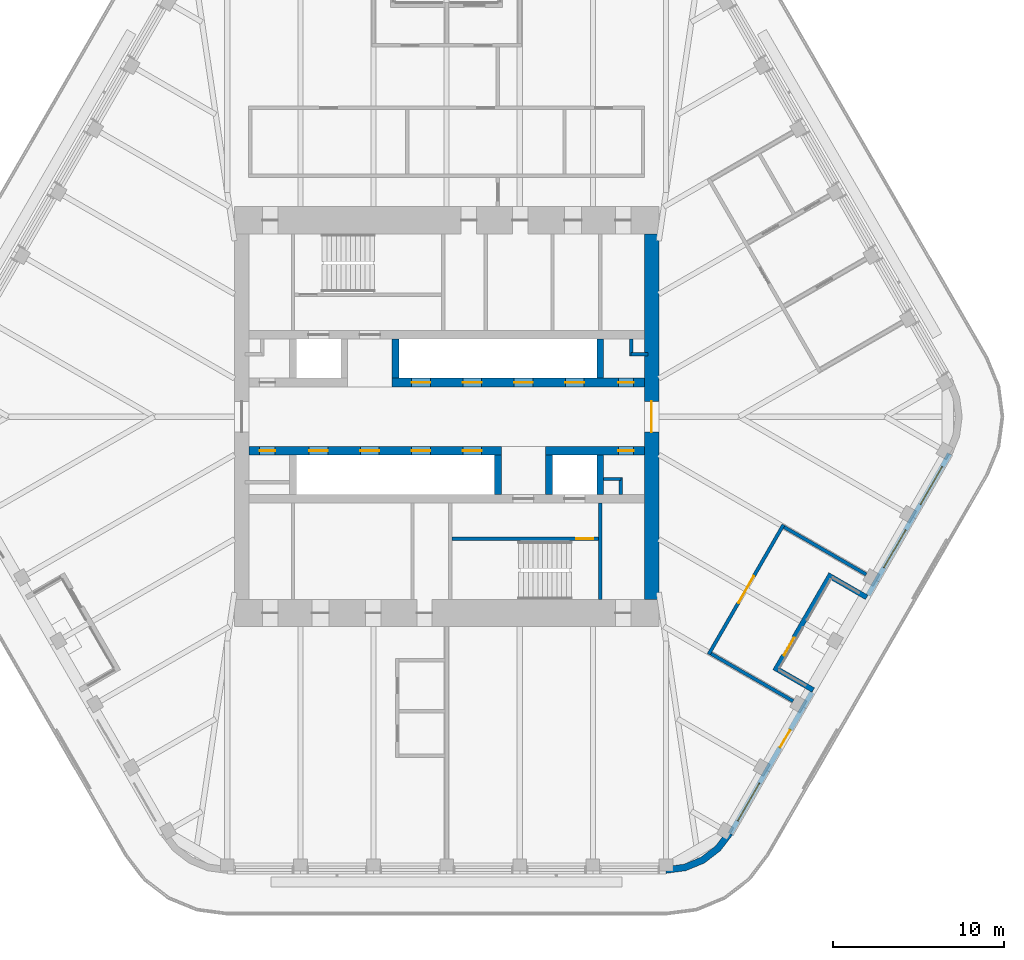
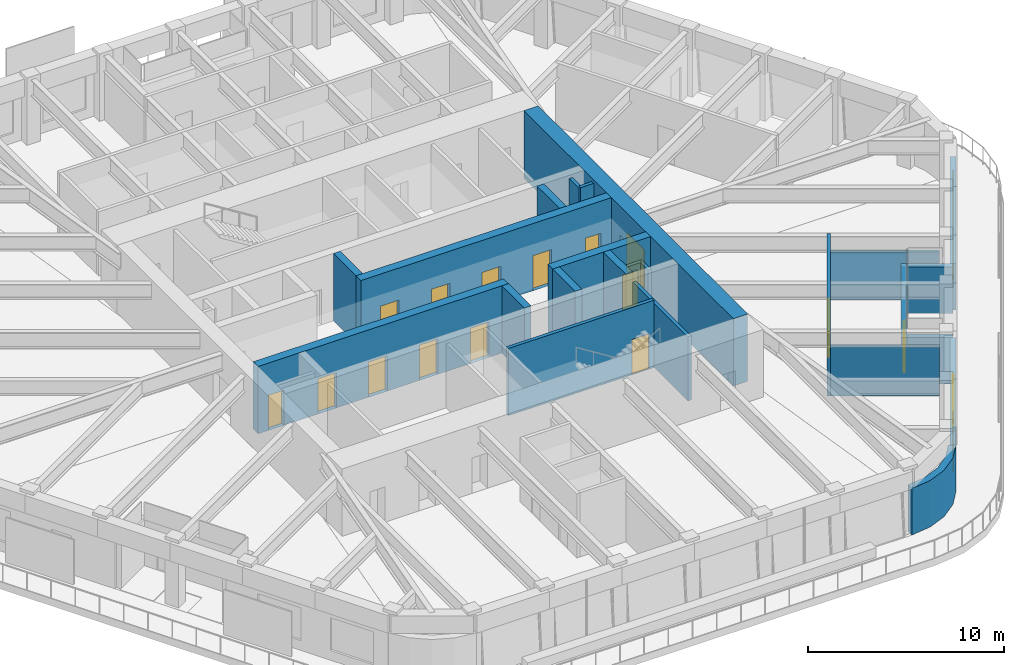
# One storey, part 14 of 19: 24 walls, 16 doors, 3 windows, 19 openings.
"""IFC4 building model written with IfcOpenShell, lengths in metres."""

from ifc_helpers import new_model, si_unit, direction, frame, frame_2d, origin, place, context, subcontext, project, spatial, polyline, rectangle, outline, extrude, material, layer, layer_set, type_object, element, fill, save


model = new_model("IFC4")

# Units and contexts
model_context = context("Model", 3, precision=1e-05, world=origin(), true_north=direction((0.0, 1.0)))
body_context = subcontext(model_context, "Body", "Model", "MODEL_VIEW")
ifc_project = project(units=[si_unit("LENGTHUNIT", "METRE"), si_unit("AREAUNIT", "SQUARE_METRE"), si_unit("VOLUMEUNIT", "CUBIC_METRE"), si_unit("PLANEANGLEUNIT", "RADIAN"), si_unit("MASSUNIT", "GRAM", prefix="KILO")], contexts=[model_context])

# Site, building, storey
site_placement = place(None, origin())
site = spatial("IfcSite", under=ifc_project, at=site_placement, CompositionType="ELEMENT")
building_placement = place(site_placement, origin())
building = spatial("IfcBuilding", under=site, at=building_placement, Name="Tarfa Lantern Tower", CompositionType="ELEMENT")
storey_placement = place(building_placement, frame((0.0, 0.0, 374.5)))
storey = spatial("IfcBuildingStorey", under=building, at=storey_placement, Name="L85", CompositionType="ELEMENT", Elevation=374.5)

# Wall, openings, door, window
ifc_material_1 = material(Name="Limestone cladding on blockwork", Category="masonry")
ifc_layer_1 = layer(ifc_material_1, 0.300048828125)
ifc_layer_set_1 = layer_set([ifc_layer_1], Name="EW1 STONE-CLAD WALL 300")
wall_type_1 = type_object("IfcWallType", Name="EW1 STONE-CLAD WALL 300", PredefinedType="SOLIDWALL", material=ifc_layer_set_1)
wall_1_placement = place(storey_placement, frame((16.61328125, -24.425048828125, 0.0), z_axis=(0.0, 0.0, 1.0), x_axis=(0.499996453679, 0.866027451244, 0.0)))
wall_1 = element("IfcWall", 1, at=wall_1_placement, inside=storey, type_object=wall_type_1, Name="Stone wall SE", PredefinedType="SOLIDWALL", context=body_context, shape_type="SweptSolid", body=[
    extrude(rectangle(XDim=9.56396484375, YDim=0.300048828125, at=frame_2d((4.781982421875, 0.0))), origin(), (0.0, 0.0, 1.0), 2.89990234375),
])
opening_1_placement = place(wall_1_placement, frame((0.865966796875, 0.0, 0.60009765625)))
opening_1 = element("IfcOpeningElement", 2, at=opening_1_placement, cuts=wall_1, Name="Opening W17", PredefinedType="OPENING", context=body_context, shape_type="SweptSolid", body=[
    extrude(rectangle(XDim=2.550048828125, YDim=2.050048828125, at=frame_2d((1.27490234375, 1.02490234375))), frame((0.0, 0.159912109375, 0.0), z_axis=(0.0, -1.0, 0.0), x_axis=(1.0, 0.0, 0.0)), (0.0, 0.0, 1.0), 0.320068359375),
])
opening_2_placement = place(wall_1_placement, frame((5.822998046875, 0.0, 0.0)))
opening_2 = element("IfcOpeningElement", 3, at=opening_2_placement, cuts=wall_1, Name="Opening D36", PredefinedType="OPENING", context=body_context, shape_type="SweptSolid", body=[
    extrude(rectangle(XDim=1.199951171875, YDim=2.39990234375, at=frame_2d((0.60009765625, 1.199951171875))), frame((0.0, 0.159912109375, 0.0), z_axis=(0.0, -1.0, 0.0), x_axis=(1.0, 0.0, 0.0)), (0.0, 0.0, 1.0), 0.320068359375),
])
ifc_material_2 = material(Name="Aluminium framed glazed door", Category="aluminium")
door_type_1 = type_object("IfcDoorType", Name="BE3 BALCONY DOOR 1200x2400", OperationType="SINGLE_SWING_RIGHT", PredefinedType="DOOR", material=ifc_material_2)
door_1_placement = place(opening_2_placement, origin())
door_1 = element("IfcDoor", 4, at=door_1_placement, inside=storey, type_object=door_type_1, Name="Balcony door SE", OperationType="SINGLE_SWING_LEFT", OverallHeight=2.39990234375, OverallWidth=1.199951171875, PredefinedType="DOOR", context=body_context, shape_type="SweptSolid", body=[
    extrude(rectangle(XDim=1.199951171875, YDim=2.39990234375, at=frame_2d((0.60009765625, 1.199951171875))), frame((0.0, 0.02490234375, 0.0), z_axis=(0.0, -1.0, 0.0), x_axis=(1.0, 0.0, 0.0)), (0.0, 0.0, 1.0), 0.050048828125),
])
fill(opening_2, door_1)
ifc_material_3 = material(Name="Aluminium frame, double glazed", Category="aluminium")
window_type = type_object("IfcWindowType", Name="W17 FULL-HEIGHT GLAZING 2550x2050", PartitioningType="SINGLE_PANEL", PredefinedType="WINDOW", material=ifc_material_3)
window_1_placement = place(opening_1_placement, origin())
window_1 = element("IfcWindow", 5, at=window_1_placement, inside=storey, type_object=window_type, Name="Window SE 1", OverallHeight=2.050048828125, OverallWidth=2.550048828125, PartitioningType="SINGLE_PANEL", PredefinedType="WINDOW", context=body_context, shape_type="SweptSolid", body=[
    extrude(rectangle(XDim=2.550048828125, YDim=2.050048828125, at=frame_2d((1.27490234375, 1.02490234375))), frame((0.0, 0.030029296875, 0.0), z_axis=(0.0, -1.0, 0.0), x_axis=(1.0, 0.0, 0.0)), (0.0, 0.0, 1.0), 0.06005859375),
])
fill(opening_1, window_1)

# Wall, openings, windows
wall_2_placement = place(storey_placement, frame((24.67724609375, -10.457763671875, 0.0), z_axis=(0.0, 0.0, 1.0), x_axis=(0.499996453679, 0.866027451244, 0.0)))
wall_2 = element("IfcWall", 6, at=wall_2_placement, inside=storey, type_object=wall_type_1, Name="Stone wall SEB", PredefinedType="SOLIDWALL", context=body_context, shape_type="SweptSolid", body=[
    extrude(rectangle(XDim=9.56396484375, YDim=0.300048828125, at=frame_2d((4.781982421875, 0.0))), origin(), (0.0, 0.0, 1.0), 2.89990234375),
])
opening_3_placement = place(wall_2_placement, frame((1.865966796875, 0.0, 0.60009765625)))
opening_3 = element("IfcOpeningElement", 7, at=opening_3_placement, cuts=wall_2, Name="Opening W17", PredefinedType="OPENING", context=body_context, shape_type="SweptSolid", body=[
    extrude(rectangle(XDim=2.550048828125, YDim=2.050048828125, at=frame_2d((1.27490234375, 1.02490234375))), frame((0.0, 0.159912109375, 0.0), z_axis=(0.0, -1.0, 0.0), x_axis=(1.0, 0.0, 0.0)), (0.0, 0.0, 1.0), 0.320068359375),
])
opening_4_placement = place(wall_2_placement, frame((6.14794921875, 0.0, 0.60009765625)))
opening_4 = element("IfcOpeningElement", 8, at=opening_4_placement, cuts=wall_2, Name="Opening W17", PredefinedType="OPENING", context=body_context, shape_type="SweptSolid", body=[
    extrude(rectangle(XDim=2.550048828125, YDim=2.050048828125, at=frame_2d((1.27490234375, 1.02490234375))), frame((0.0, 0.159912109375, 0.0), z_axis=(0.0, -1.0, 0.0), x_axis=(1.0, 0.0, 0.0)), (0.0, 0.0, 1.0), 0.320068359375),
])
window_2_placement = place(opening_3_placement, origin())
window_2 = element("IfcWindow", 9, at=window_2_placement, inside=storey, type_object=window_type, Name="Window SEB 1", OverallHeight=2.050048828125, OverallWidth=2.550048828125, PartitioningType="SINGLE_PANEL", PredefinedType="WINDOW", context=body_context, shape_type="SweptSolid", body=[
    extrude(rectangle(XDim=2.550048828125, YDim=2.050048828125, at=frame_2d((1.27490234375, 1.02490234375))), frame((0.0, 0.030029296875, 0.0), z_axis=(0.0, -1.0, 0.0), x_axis=(1.0, 0.0, 0.0)), (0.0, 0.0, 1.0), 0.06005859375),
])
fill(opening_3, window_2)
window_3_placement = place(opening_4_placement, origin())
window_3 = element("IfcWindow", 10, at=window_3_placement, inside=storey, type_object=window_type, Name="Window SEB 2", OverallHeight=2.050048828125, OverallWidth=2.550048828125, PartitioningType="SINGLE_PANEL", PredefinedType="WINDOW", context=body_context, shape_type="SweptSolid", body=[
    extrude(rectangle(XDim=2.550048828125, YDim=2.050048828125, at=frame_2d((1.27490234375, 1.02490234375))), frame((0.0, 0.030029296875, 0.0), z_axis=(0.0, -1.0, 0.0), x_axis=(1.0, 0.0, 0.0)), (0.0, 0.0, 1.0), 0.06005859375),
])
fill(opening_4, window_3)

# Walls
for number, where, z_axis, x_axis, name in (
    (11, (21.47021484375, -16.012451171875, 0.0), (0.0, 0.0, 1.0), (-0.866016039709, 0.500016218704, 0.0), "Terrace return SE 1"),
    (12, (24.602294921875, -10.587646484375, 0.0), (0.0, 0.0, 1.0), (-0.866016039709, 0.500016218704, 0.0), "Terrace return SE 2"),
):
    element("IfcWall", number, at=place(storey_placement, frame(where, z_axis=z_axis, x_axis=x_axis)), inside=storey, type_object=wall_type_1, Name=name, PredefinedType="SOLIDWALL", context=body_context, shape_type="SweptSolid", body=[
        extrude(rectangle(XDim=2.35009765625, YDim=0.300048828125, at=frame_2d((1.175048828125, 0.0))), origin(), (0.0, 0.0, 1.0), 2.89990234375),
    ])

# Wall, opening, door
wall_3_placement = place(storey_placement, frame((19.230224609375, -14.892333984375, 0.0), z_axis=(0.0, 0.0, 1.0), x_axis=(0.499999339774, 0.866025784966, 0.0)))
wall_3 = element("IfcWall", 13, at=wall_3_placement, inside=storey, type_object=wall_type_1, Name="Stone wall SES", PredefinedType="SOLIDWALL", context=body_context, shape_type="SweptSolid", body=[
    extrude(rectangle(XDim=6.56396484375, YDim=0.300048828125, at=frame_2d((3.281982421875, 0.0))), origin(), (0.0, 0.0, 1.0), 2.89990234375),
])
opening_5_placement = place(wall_3_placement, frame((1.041015625, 0.0, 0.0)))
opening_5 = element("IfcOpeningElement", 14, at=opening_5_placement, cuts=wall_3, Name="Opening D37", PredefinedType="OPENING", context=body_context, shape_type="SweptSolid", body=[
    extrude(rectangle(XDim=1.199951171875, YDim=2.39990234375, at=frame_2d((0.60009765625, 1.199951171875))), frame((0.0, 0.159912109375, 0.0), z_axis=(0.0, -1.0, 0.0), x_axis=(1.0, 0.0, 0.0)), (0.0, 0.0, 1.0), 0.320068359375),
])
door_2_placement = place(opening_5_placement, origin())
door_2 = element("IfcDoor", 15, at=door_2_placement, inside=storey, type_object=door_type_1, Name="Balcony door SES", OperationType="SINGLE_SWING_RIGHT", OverallHeight=2.39990234375, OverallWidth=1.199951171875, PredefinedType="DOOR", context=body_context, shape_type="SweptSolid", body=[
    extrude(rectangle(XDim=1.199951171875, YDim=2.39990234375, at=frame_2d((0.60009765625, 1.199951171875))), frame((0.0, 0.02490234375, 0.0), z_axis=(0.0, -1.0, 0.0), x_axis=(1.0, 0.0, 0.0)), (0.0, 0.0, 1.0), 0.050048828125),
])
fill(opening_5, door_2)

# Walls
ifc_layer_2 = layer(ifc_material_1, 0.39990234375)
ifc_layer_set_2 = layer_set([ifc_layer_2], Name="EW2 CURVED STONE CORNER 400")
wall_type_2 = type_object("IfcWallType", Name="EW2 CURVED STONE CORNER 400", PredefinedType="SOLIDWALL", material=ifc_layer_set_2)
wall_4_placement = place(storey_placement, origin())
element("IfcWall", 16, at=wall_4_placement, inside=storey, type_object=wall_type_2, Name="Stone corner S-SE", PredefinedType="SOLIDWALL", context=body_context, shape_type="SweptSolid", body=[
    extrude(outline(polyline([(12.845947265625, -26.75), (14.0107421875, -26.5966796875), (15.095947265625, -26.147216796875), (16.028076171875, -25.431884765625), (16.7431640625, -24.5), (16.396728515625, -24.300048828125), (15.7451171875, -25.149169921875), (14.89599609375, -25.80078125), (13.9072265625, -26.210205078125), (12.845947265625, -26.35009765625), (12.845947265625, -26.75)])), origin(), (0.0, 0.0, 1.0), 2.89990234375),
])
ifc_material_4 = material(Name="Concrete blockwork", Category="masonry")
ifc_layer_3 = layer(ifc_material_4, 0.199951171875)
ifc_layer_set_3 = layer_set([ifc_layer_3], Name="IW1 BLOCKWORK PARTITION 200 EI 120")
wall_type_3 = type_object("IfcWallType", Name="IW1 BLOCKWORK PARTITION 200 EI 120", PredefinedType="PARTITIONING", material=ifc_layer_set_3)
wall_5_placement = place(storey_placement, frame((9.0, -5.050048828125, 0.0), z_axis=(0.0, 0.0, 1.0), x_axis=(0.0, -1.0, 0.0)))
element("IfcWall", 17, at=wall_5_placement, inside=storey, type_object=wall_type_3, Name="Core partition", PredefinedType="PARTITIONING", context=body_context, shape_type="SweptSolid", body=[
    extrude(rectangle(XDim=5.64990234375, YDim=0.199951171875, at=frame_2d((2.824951171875, 0.0))), origin(), (0.0, 0.0, 1.0), 4.0),
])
for number, where, z_axis, x_axis, name in (
    (18, (10.800048828125, 3.64990234375, 0.0), (0.0, 0.0, 1.0), (1.0, 0.0, 0.0), "Core partition"),
    (19, (10.800048828125, 3.550048828125, 0.0), (0.0, 0.0, 1.0), (0.0, 1.0, 0.0), "Core partition"),
    (20, (10.199951171875, -3.64990234375, 0.0), (0.0, 0.0, 1.0), (-1.0, 0.0, 0.0), "Core partition"),
    (21, (10.199951171875, -3.550048828125, 0.0), (0.0, 0.0, 1.0), (0.0, -1.0, 0.0), "Core partition"),
):
    element("IfcWall", number, at=place(storey_placement, frame(where, z_axis=z_axis, x_axis=x_axis)), inside=storey, type_object=wall_type_3, Name=name, PredefinedType="PARTITIONING", context=body_context, shape_type="SweptSolid", body=[
        extrude(rectangle(XDim=1.0, YDim=0.199951171875, at=frame_2d((0.5, 0.0))), origin(), (0.0, 0.0, 1.0), 4.0),
    ])

# Wall, opening, door
ifc_material_5 = material(Name="Gypsum board on steel studs", Category="steel")
ifc_layer_4 = layer(ifc_material_5, 0.2099609375)
ifc_layer_set_4 = layer_set([ifc_layer_4], Name="IW2 ACOUSTIC PARTITION 200")
wall_type_4 = type_object("IfcWallType", Name="IW2 ACOUSTIC PARTITION 200", PredefinedType="PARTITIONING", material=ifc_layer_set_4)
wall_6_placement = place(storey_placement, frame((15.345947265625, -13.919921875, 0.0), z_axis=(0.0, 0.0, 1.0), x_axis=(0.500006995557, 0.86602136486, 0.0)))
wall_6 = element("IfcWall", 22, at=wall_6_placement, inside=storey, type_object=wall_type_4, Name="Partition", PredefinedType="PARTITIONING", context=body_context, shape_type="SweptSolid", body=[
    extrude(rectangle(XDim=8.763916015625, YDim=0.199951171875, at=frame_2d((4.3818359375, 0.0))), origin(), (0.0, 0.0, 1.0), 4.0),
])
opening_6_placement = place(wall_6_placement, frame((3.48193359375, 0.0, 0.0)))
opening_6 = element("IfcOpeningElement", 23, at=opening_6_placement, cuts=wall_6, Name="Opening D27", PredefinedType="OPENING", context=body_context, shape_type="SweptSolid", body=[
    extrude(rectangle(XDim=1.800048828125, YDim=2.39990234375, at=frame_2d((0.89990234375, 1.199951171875))), frame((0.0, 0.10986328125, 0.0), z_axis=(0.0, -1.0, 0.0), x_axis=(1.0, 0.0, 0.0)), (0.0, 0.0, 1.0), 0.219970703125),
])
ifc_material_6 = material(Name="Timber door", Category="wood")
door_type_2 = type_object("IfcDoorType", Name="DR2 ROOM DOOR 1800x2400", OperationType="DOUBLE_DOOR_SINGLE_SWING", PredefinedType="DOOR", material=ifc_material_6)
door_3_placement = place(opening_6_placement, frame((1.800048828125, 0.0, 0.0), z_axis=(0.0, 0.0, 1.0), x_axis=(-1.0, 0.0, 0.0)))
door_3 = element("IfcDoor", 24, at=door_3_placement, inside=storey, type_object=door_type_2, Name="Majlis door", OperationType="DOUBLE_DOOR_SINGLE_SWING", OverallHeight=2.39990234375, OverallWidth=1.800048828125, PredefinedType="DOOR", context=body_context, shape_type="SweptSolid", body=[
    extrude(rectangle(XDim=1.800048828125, YDim=2.39990234375, at=frame_2d((0.89990234375, 1.199951171875))), frame((0.0, 0.02490234375, 0.0), z_axis=(0.0, -1.0, 0.0), x_axis=(1.0, 0.0, 0.0)), (0.0, 0.0, 1.0), 0.050048828125),
])
fill(opening_6, door_3)

# Walls
wall_7_placement = place(storey_placement, frame((15.482666015625, -13.88330078125, 0.0), z_axis=(0.0, 0.0, 1.0), x_axis=(0.866011969997, -0.500023267281, 0.0)))
element("IfcWall", 25, at=wall_7_placement, inside=storey, type_object=wall_type_4, Name="Partition", PredefinedType="PARTITIONING", context=body_context, shape_type="SweptSolid", body=[
    extrude(rectangle(XDim=5.550048828125, YDim=0.199951171875, at=frame_2d((2.77490234375, 0.0))), origin(), (0.0, 0.0, 1.0), 3.08154296875),
])
wall_8_placement = place(storey_placement, frame((19.7646484375, -6.466552734375, 0.0), z_axis=(0.0, 0.0, 1.0), x_axis=(0.866011969997, -0.500023267281, 0.0)))
element("IfcWall", 26, at=wall_8_placement, inside=storey, type_object=wall_type_4, Name="Partition", PredefinedType="PARTITIONING", context=body_context, shape_type="SweptSolid", body=[
    extrude(rectangle(XDim=5.550048828125, YDim=0.199951171875, at=frame_2d((2.77490234375, 0.0))), origin(), (0.0, 0.0, 1.0), 2.991943359375),
])

# Wall, opening, door
ifc_material_7 = material(Name="Concrete C80/95", Category="concrete")
ifc_layer_5 = layer(ifc_material_7, 0.199951171875)
ifc_layer_set_5 = layer_set([ifc_layer_5], Name="SW12 CORE WALL 200")
wall_type_5 = type_object("IfcWallType", Name="SW12 CORE WALL 200", PredefinedType="SHEAR", material=ifc_layer_set_5)
wall_9_placement = place(storey_placement, frame((8.89990234375, -7.14990234375, 0.0), z_axis=(0.0, 0.0, 1.0), x_axis=(-1.0, 0.0, 0.0)))
wall_9 = element("IfcWall", 27, at=wall_9_placement, inside=storey, type_object=wall_type_5, Name="Core wall stair partition S", PredefinedType="SHEAR", context=body_context, shape_type="SweptSolid", body=[
    extrude(rectangle(XDim=8.599853515625, YDim=0.199951171875, at=frame_2d((4.2998046875, 0.0))), origin(), (0.0, 0.0, 1.0), 4.199951171875),
])
opening_7_placement = place(wall_9_placement, frame((0.300048828125, 0.0, 0.0)))
opening_7 = element("IfcOpeningElement", 28, at=opening_7_placement, cuts=wall_9, Name="Opening D20", PredefinedType="OPENING", context=body_context, shape_type="SweptSolid", body=[
    extrude(rectangle(XDim=1.0, YDim=2.199951171875, at=frame_2d((0.5, 1.10009765625))), frame((0.0, 0.10986328125, 0.0), z_axis=(0.0, -1.0, 0.0), x_axis=(1.0, 0.0, 0.0)), (0.0, 0.0, 1.0), 0.219970703125),
])
ifc_material_8 = material(Name="Steel fire door", Category="steel")
door_type_3 = type_object("IfcDoorType", Name="DF2 STAIR DOOR 1000x2200", OperationType="SINGLE_SWING_LEFT", PredefinedType="DOOR", material=ifc_material_8)
door_4_placement = place(opening_7_placement, origin())
door_4 = element("IfcDoor", 29, at=door_4_placement, inside=storey, type_object=door_type_3, Name="Stair door", OperationType="SINGLE_SWING_RIGHT", OverallHeight=2.199951171875, OverallWidth=1.0, PredefinedType="DOOR", context=body_context, shape_type="SweptSolid", body=[
    extrude(rectangle(XDim=1.0, YDim=2.199951171875, at=frame_2d((0.5, 1.10009765625))), frame((0.0, 0.02490234375, 0.0), z_axis=(0.0, -1.0, 0.0), x_axis=(1.0, 0.0, 0.0)), (0.0, 0.0, 1.0), 0.050048828125),
])
fill(opening_7, door_4)

ifc_layer_6 = layer(ifc_material_7, 0.85009765625)
ifc_layer_set_6 = layer_set([ifc_layer_6], Name="SW3 CORE WALL 850")
wall_type_6 = type_object("IfcWallType", Name="SW3 CORE WALL 850", PredefinedType="SHEAR", material=ifc_layer_set_6)
wall_10_placement = place(storey_placement, frame((12.0, -10.699951171875, 0.0), z_axis=(0.0, 0.0, 1.0), x_axis=(0.0, 1.0, 0.0)))
wall_10 = element("IfcWall", 30, at=wall_10_placement, inside=storey, type_object=wall_type_6, Name="Core wall E", PredefinedType="SHEAR", context=body_context, shape_type="SweptSolid", body=[
    extrude(rectangle(XDim=21.39990234375, YDim=0.85009765625, at=frame_2d((10.699951171875, 0.0))), origin(), (0.0, 0.0, 1.0), 4.199951171875),
])
opening_8_placement = place(wall_10_placement, frame((9.800048828125, 0.0, 0.0)))
opening_8 = element("IfcOpeningElement", 31, at=opening_8_placement, cuts=wall_10, Name="Opening D07", PredefinedType="OPENING", context=body_context, shape_type="SweptSolid", body=[
    extrude(rectangle(XDim=1.800048828125, YDim=2.39990234375, at=frame_2d((0.89990234375, 1.199951171875))), frame((0.0, 0.43505859375, 0.0), z_axis=(0.0, -1.0, 0.0), x_axis=(1.0, 0.0, 0.0)), (0.0, 0.0, 1.0), 0.8701171875),
])
door_type_4 = type_object("IfcDoorType", Name="DL1 LOBBY DOOR 1800x2400", OperationType="DOUBLE_DOOR_SINGLE_SWING", PredefinedType="DOOR", material=ifc_material_8)
door_5_placement = place(opening_8_placement, frame((1.800048828125, 0.0, 0.0), z_axis=(0.0, 0.0, 1.0), x_axis=(-1.0, 0.0, 0.0)))
door_5 = element("IfcDoor", 32, at=door_5_placement, inside=storey, type_object=door_type_4, Name="Lift lobby door", OperationType="DOUBLE_DOOR_SINGLE_SWING", OverallHeight=2.39990234375, OverallWidth=1.800048828125, PredefinedType="DOOR", context=body_context, shape_type="SweptSolid", body=[
    extrude(rectangle(XDim=1.800048828125, YDim=2.39990234375, at=frame_2d((0.89990234375, 1.199951171875))), frame((0.0, 0.02490234375, 0.0), z_axis=(0.0, -1.0, 0.0), x_axis=(1.0, 0.0, 0.0)), (0.0, 0.0, 1.0), 0.050048828125),
])
fill(opening_8, door_5)

# Wall, openings, doors
ifc_layer_7 = layer(ifc_material_7, 0.5)
ifc_layer_set_7 = layer_set([ifc_layer_7], Name="SW5 CORE WALL 500")
wall_type_7 = type_object("IfcWallType", Name="SW5 CORE WALL 500", PredefinedType="SHEAR", material=ifc_layer_set_7)
wall_11_placement = place(storey_placement, frame((-3.199951171875, 2.0, 0.0), z_axis=(0.0, 0.0, 1.0), x_axis=(1.0, 0.0, 0.0)))
wall_11 = element("IfcWall", 33, at=wall_11_placement, inside=storey, type_object=wall_type_7, Name="Core wall lobby east N", PredefinedType="SHEAR", context=body_context, shape_type="SweptSolid", body=[
    extrude(rectangle(XDim=14.77490234375, YDim=0.5, at=frame_2d((7.387451171875, 0.0))), origin(), (0.0, 0.0, 1.0), 4.199951171875),
])
opening_9_placement = place(wall_11_placement, frame((13.25, 0.0, 0.0)))
opening_9 = element("IfcOpeningElement", 34, at=opening_9_placement, cuts=wall_11, Name="Opening D09", PredefinedType="OPENING", context=body_context, shape_type="SweptSolid", body=[
    extrude(rectangle(XDim=0.89990234375, YDim=2.199951171875, at=frame_2d((0.449951171875, 1.10009765625))), frame((0.0, 0.260009765625, 0.0), z_axis=(0.0, -1.0, 0.0), x_axis=(1.0, 0.0, 0.0)), (0.0, 0.0, 1.0), 0.52001953125),
])
opening_10_placement = place(wall_11_placement, frame((1.14990234375, 0.0, 0.0)))
opening_10 = element("IfcOpeningElement", 35, at=opening_10_placement, cuts=wall_11, Name="Opening LD03", PredefinedType="OPENING", context=body_context, shape_type="SweptSolid", body=[
    extrude(rectangle(XDim=1.10009765625, YDim=2.199951171875, at=frame_2d((0.550048828125, 1.10009765625))), frame((0.0, 0.260009765625, 0.0), z_axis=(0.0, -1.0, 0.0), x_axis=(1.0, 0.0, 0.0)), (0.0, 0.0, 1.0), 0.52001953125),
])
opening_11_placement = place(wall_11_placement, frame((4.14990234375, 0.0, 0.0)))
opening_11 = element("IfcOpeningElement", 36, at=opening_11_placement, cuts=wall_11, Name="Opening LD04", PredefinedType="OPENING", context=body_context, shape_type="SweptSolid", body=[
    extrude(rectangle(XDim=1.10009765625, YDim=2.199951171875, at=frame_2d((0.550048828125, 1.10009765625))), frame((0.0, 0.260009765625, 0.0), z_axis=(0.0, -1.0, 0.0), x_axis=(1.0, 0.0, 0.0)), (0.0, 0.0, 1.0), 0.52001953125),
])
opening_12_placement = place(wall_11_placement, frame((7.14990234375, 0.0, 0.0)))
opening_12 = element("IfcOpeningElement", 37, at=opening_12_placement, cuts=wall_11, Name="Opening LD05", PredefinedType="OPENING", context=body_context, shape_type="SweptSolid", body=[
    extrude(rectangle(XDim=1.10009765625, YDim=2.199951171875, at=frame_2d((0.550048828125, 1.10009765625))), frame((0.0, 0.260009765625, 0.0), z_axis=(0.0, -1.0, 0.0), x_axis=(1.0, 0.0, 0.0)), (0.0, 0.0, 1.0), 0.52001953125),
])
opening_13_placement = place(wall_11_placement, frame((10.14990234375, 0.0, 0.0)))
opening_13 = element("IfcOpeningElement", 38, at=opening_13_placement, cuts=wall_11, Name="Opening LD06", PredefinedType="OPENING", context=body_context, shape_type="SweptSolid", body=[
    extrude(rectangle(XDim=1.10009765625, YDim=2.199951171875, at=frame_2d((0.550048828125, 1.10009765625))), frame((0.0, 0.260009765625, 0.0), z_axis=(0.0, -1.0, 0.0), x_axis=(1.0, 0.0, 0.0)), (0.0, 0.0, 1.0), 0.52001953125),
])
door_type_5 = type_object("IfcDoorType", Name="DF6 SERVICE ROOM DOOR 900x2200", OperationType="SINGLE_SWING_LEFT", PredefinedType="DOOR", material=ifc_material_8)
door_6_placement = place(opening_9_placement, origin())
door_6 = element("IfcDoor", 39, at=door_6_placement, inside=storey, type_object=door_type_5, Name="Service room door", OperationType="SINGLE_SWING_LEFT", OverallHeight=2.199951171875, OverallWidth=0.89990234375, PredefinedType="DOOR", context=body_context, shape_type="SweptSolid", body=[
    extrude(rectangle(XDim=0.89990234375, YDim=2.199951171875, at=frame_2d((0.449951171875, 1.10009765625))), frame((0.0, 0.02490234375, 0.0), z_axis=(0.0, -1.0, 0.0), x_axis=(1.0, 0.0, 0.0)), (0.0, 0.0, 1.0), 0.050048828125),
])
fill(opening_9, door_6)
ifc_material_9 = material(Name="Stainless steel lift door", Category="steel")
door_type_6 = type_object("IfcDoorType", Name="LD2 LIFT LANDING DOOR 1100x2200", OperationType="SLIDING_TO_LEFT", PredefinedType="DOOR", material=ifc_material_9)
door_7_placement = place(opening_10_placement, frame((1.10009765625, 0.0, 0.0), z_axis=(0.0, 0.0, 1.0), x_axis=(-1.0, 0.0, 0.0)))
door_7 = element("IfcDoor", 40, at=door_7_placement, inside=storey, type_object=door_type_6, Name="Landing door PD1", OperationType="SLIDING_TO_LEFT", OverallHeight=2.199951171875, OverallWidth=1.10009765625, PredefinedType="DOOR", context=body_context, shape_type="SweptSolid", body=[
    extrude(rectangle(XDim=1.10009765625, YDim=2.199951171875, at=frame_2d((0.550048828125, 1.10009765625))), frame((0.0, 0.02490234375, 0.0), z_axis=(0.0, -1.0, 0.0), x_axis=(1.0, 0.0, 0.0)), (0.0, 0.0, 1.0), 0.050048828125),
])
fill(opening_10, door_7)
door_8_placement = place(opening_11_placement, frame((1.10009765625, 0.0, 0.0), z_axis=(0.0, 0.0, 1.0), x_axis=(-1.0, 0.0, 0.0)))
door_8 = element("IfcDoor", 41, at=door_8_placement, inside=storey, type_object=door_type_6, Name="Landing door PD2", OperationType="SLIDING_TO_LEFT", OverallHeight=2.199951171875, OverallWidth=1.10009765625, PredefinedType="DOOR", context=body_context, shape_type="SweptSolid", body=[
    extrude(rectangle(XDim=1.10009765625, YDim=2.199951171875, at=frame_2d((0.550048828125, 1.10009765625))), frame((0.0, 0.02490234375, 0.0), z_axis=(0.0, -1.0, 0.0), x_axis=(1.0, 0.0, 0.0)), (0.0, 0.0, 1.0), 0.050048828125),
])
fill(opening_11, door_8)
door_9_placement = place(opening_12_placement, frame((1.10009765625, 0.0, 0.0), z_axis=(0.0, 0.0, 1.0), x_axis=(-1.0, 0.0, 0.0)))
door_9 = element("IfcDoor", 42, at=door_9_placement, inside=storey, type_object=door_type_6, Name="Landing door PD3", OperationType="SLIDING_TO_LEFT", OverallHeight=2.199951171875, OverallWidth=1.10009765625, PredefinedType="DOOR", context=body_context, shape_type="SweptSolid", body=[
    extrude(rectangle(XDim=1.10009765625, YDim=2.199951171875, at=frame_2d((0.550048828125, 1.10009765625))), frame((0.0, 0.02490234375, 0.0), z_axis=(0.0, -1.0, 0.0), x_axis=(1.0, 0.0, 0.0)), (0.0, 0.0, 1.0), 0.050048828125),
])
fill(opening_12, door_9)
door_10_placement = place(opening_13_placement, frame((1.10009765625, 0.0, 0.0), z_axis=(0.0, 0.0, 1.0), x_axis=(-1.0, 0.0, 0.0)))
door_10 = element("IfcDoor", 43, at=door_10_placement, inside=storey, type_object=door_type_6, Name="Landing door PD4", OperationType="SLIDING_TO_LEFT", OverallHeight=2.199951171875, OverallWidth=1.10009765625, PredefinedType="DOOR", context=body_context, shape_type="SweptSolid", body=[
    extrude(rectangle(XDim=1.10009765625, YDim=2.199951171875, at=frame_2d((0.550048828125, 1.10009765625))), frame((0.0, 0.02490234375, 0.0), z_axis=(0.0, -1.0, 0.0), x_axis=(1.0, 0.0, 0.0)), (0.0, 0.0, 1.0), 0.050048828125),
])
fill(opening_13, door_10)

# Wall, opening, door
wall_12_placement = place(storey_placement, frame((11.574951171875, -2.0, 0.0), z_axis=(0.0, 0.0, 1.0), x_axis=(-1.0, 0.0, 0.0)))
wall_12 = element("IfcWall", 44, at=wall_12_placement, inside=storey, type_object=wall_type_7, Name="Core wall lobby west S", PredefinedType="SHEAR", context=body_context, shape_type="SweptSolid", body=[
    extrude(rectangle(XDim=5.77490234375, YDim=0.5, at=frame_2d((2.887451171875, 0.0))), origin(), (0.0, 0.0, 1.0), 4.199951171875),
])
opening_14_placement = place(wall_12_placement, frame((0.625, 0.0, 0.0)))
opening_14 = element("IfcOpeningElement", 45, at=opening_14_placement, cuts=wall_12, Name="Opening D12", PredefinedType="OPENING", context=body_context, shape_type="SweptSolid", body=[
    extrude(rectangle(XDim=0.89990234375, YDim=2.199951171875, at=frame_2d((0.449951171875, 1.10009765625))), frame((0.0, 0.260009765625, 0.0), z_axis=(0.0, -1.0, 0.0), x_axis=(1.0, 0.0, 0.0)), (0.0, 0.0, 1.0), 0.52001953125),
])
door_11_placement = place(opening_14_placement, origin())
door_11 = element("IfcDoor", 46, at=door_11_placement, inside=storey, type_object=door_type_5, Name="Service room door", OperationType="SINGLE_SWING_RIGHT", OverallHeight=2.199951171875, OverallWidth=0.89990234375, PredefinedType="DOOR", context=body_context, shape_type="SweptSolid", body=[
    extrude(rectangle(XDim=0.89990234375, YDim=2.199951171875, at=frame_2d((0.449951171875, 1.10009765625))), frame((0.0, 0.02490234375, 0.0), z_axis=(0.0, -1.0, 0.0), x_axis=(1.0, 0.0, 0.0)), (0.0, 0.0, 1.0), 0.050048828125),
])
fill(opening_14, door_11)

# Wall, openings, doors
wall_13_placement = place(storey_placement, frame((3.199951171875, -2.0, 0.0), z_axis=(0.0, 0.0, 1.0), x_axis=(-1.0, 0.0, 0.0)))
wall_13 = element("IfcWall", 47, at=wall_13_placement, inside=storey, type_object=wall_type_7, Name="Core wall lobby east S", PredefinedType="SHEAR", context=body_context, shape_type="SweptSolid", body=[
    extrude(rectangle(XDim=14.77490234375, YDim=0.5, at=frame_2d((7.387451171875, 0.0))), origin(), (0.0, 0.0, 1.0), 4.199951171875),
])
opening_15_placement = place(wall_13_placement, frame((13.25, 0.0, 0.0)))
opening_15 = element("IfcOpeningElement", 48, at=opening_15_placement, cuts=wall_13, Name="Opening D10", PredefinedType="OPENING", context=body_context, shape_type="SweptSolid", body=[
    extrude(rectangle(XDim=0.89990234375, YDim=2.199951171875, at=frame_2d((0.449951171875, 1.10009765625))), frame((0.0, 0.260009765625, 0.0), z_axis=(0.0, -1.0, 0.0), x_axis=(1.0, 0.0, 0.0)), (0.0, 0.0, 1.0), 0.52001953125),
])
opening_16_placement = place(wall_13_placement, frame((1.14990234375, 0.0, 0.0)))
opening_16 = element("IfcOpeningElement", 49, at=opening_16_placement, cuts=wall_13, Name="Opening LD07", PredefinedType="OPENING", context=body_context, shape_type="SweptSolid", body=[
    extrude(rectangle(XDim=1.10009765625, YDim=2.199951171875, at=frame_2d((0.550048828125, 1.10009765625))), frame((0.0, 0.260009765625, 0.0), z_axis=(0.0, -1.0, 0.0), x_axis=(1.0, 0.0, 0.0)), (0.0, 0.0, 1.0), 0.52001953125),
])
opening_17_placement = place(wall_13_placement, frame((4.14990234375, 0.0, 0.0)))
opening_17 = element("IfcOpeningElement", 50, at=opening_17_placement, cuts=wall_13, Name="Opening LD08", PredefinedType="OPENING", context=body_context, shape_type="SweptSolid", body=[
    extrude(rectangle(XDim=1.10009765625, YDim=2.199951171875, at=frame_2d((0.550048828125, 1.10009765625))), frame((0.0, 0.260009765625, 0.0), z_axis=(0.0, -1.0, 0.0), x_axis=(1.0, 0.0, 0.0)), (0.0, 0.0, 1.0), 0.52001953125),
])
opening_18_placement = place(wall_13_placement, frame((7.14990234375, 0.0, 0.0)))
opening_18 = element("IfcOpeningElement", 51, at=opening_18_placement, cuts=wall_13, Name="Opening LD09", PredefinedType="OPENING", context=body_context, shape_type="SweptSolid", body=[
    extrude(rectangle(XDim=1.10009765625, YDim=2.199951171875, at=frame_2d((0.550048828125, 1.10009765625))), frame((0.0, 0.260009765625, 0.0), z_axis=(0.0, -1.0, 0.0), x_axis=(1.0, 0.0, 0.0)), (0.0, 0.0, 1.0), 0.52001953125),
])
opening_19_placement = place(wall_13_placement, frame((10.14990234375, 0.0, 0.0)))
opening_19 = element("IfcOpeningElement", 52, at=opening_19_placement, cuts=wall_13, Name="Opening LD10", PredefinedType="OPENING", context=body_context, shape_type="SweptSolid", body=[
    extrude(rectangle(XDim=1.10009765625, YDim=2.199951171875, at=frame_2d((0.550048828125, 1.10009765625))), frame((0.0, 0.260009765625, 0.0), z_axis=(0.0, -1.0, 0.0), x_axis=(1.0, 0.0, 0.0)), (0.0, 0.0, 1.0), 0.52001953125),
])
door_12_placement = place(opening_15_placement, origin())
door_12 = element("IfcDoor", 53, at=door_12_placement, inside=storey, type_object=door_type_5, Name="Service room door", OperationType="SINGLE_SWING_LEFT", OverallHeight=2.199951171875, OverallWidth=0.89990234375, PredefinedType="DOOR", context=body_context, shape_type="SweptSolid", body=[
    extrude(rectangle(XDim=0.89990234375, YDim=2.199951171875, at=frame_2d((0.449951171875, 1.10009765625))), frame((0.0, 0.02490234375, 0.0), z_axis=(0.0, -1.0, 0.0), x_axis=(1.0, 0.0, 0.0)), (0.0, 0.0, 1.0), 0.050048828125),
])
fill(opening_15, door_12)
door_13_placement = place(opening_16_placement, frame((1.10009765625, 0.0, 0.0), z_axis=(0.0, 0.0, 1.0), x_axis=(-1.0, 0.0, 0.0)))
door_13 = element("IfcDoor", 54, at=door_13_placement, inside=storey, type_object=door_type_6, Name="Landing door PD5", OperationType="SLIDING_TO_LEFT", OverallHeight=2.199951171875, OverallWidth=1.10009765625, PredefinedType="DOOR", context=body_context, shape_type="SweptSolid", body=[
    extrude(rectangle(XDim=1.10009765625, YDim=2.199951171875, at=frame_2d((0.550048828125, 1.10009765625))), frame((0.0, 0.02490234375, 0.0), z_axis=(0.0, -1.0, 0.0), x_axis=(1.0, 0.0, 0.0)), (0.0, 0.0, 1.0), 0.050048828125),
])
fill(opening_16, door_13)
door_14_placement = place(opening_17_placement, frame((1.10009765625, 0.0, 0.0), z_axis=(0.0, 0.0, 1.0), x_axis=(-1.0, 0.0, 0.0)))
door_14 = element("IfcDoor", 55, at=door_14_placement, inside=storey, type_object=door_type_6, Name="Landing door PD6", OperationType="SLIDING_TO_LEFT", OverallHeight=2.199951171875, OverallWidth=1.10009765625, PredefinedType="DOOR", context=body_context, shape_type="SweptSolid", body=[
    extrude(rectangle(XDim=1.10009765625, YDim=2.199951171875, at=frame_2d((0.550048828125, 1.10009765625))), frame((0.0, 0.02490234375, 0.0), z_axis=(0.0, -1.0, 0.0), x_axis=(1.0, 0.0, 0.0)), (0.0, 0.0, 1.0), 0.050048828125),
])
fill(opening_17, door_14)
door_15_placement = place(opening_18_placement, frame((1.10009765625, 0.0, 0.0), z_axis=(0.0, 0.0, 1.0), x_axis=(-1.0, 0.0, 0.0)))
door_15 = element("IfcDoor", 56, at=door_15_placement, inside=storey, type_object=door_type_6, Name="Landing door PD7", OperationType="SLIDING_TO_LEFT", OverallHeight=2.199951171875, OverallWidth=1.10009765625, PredefinedType="DOOR", context=body_context, shape_type="SweptSolid", body=[
    extrude(rectangle(XDim=1.10009765625, YDim=2.199951171875, at=frame_2d((0.550048828125, 1.10009765625))), frame((0.0, 0.02490234375, 0.0), z_axis=(0.0, -1.0, 0.0), x_axis=(1.0, 0.0, 0.0)), (0.0, 0.0, 1.0), 0.050048828125),
])
fill(opening_18, door_15)
door_16_placement = place(opening_19_placement, frame((1.10009765625, 0.0, 0.0), z_axis=(0.0, 0.0, 1.0), x_axis=(-1.0, 0.0, 0.0)))
door_16 = element("IfcDoor", 57, at=door_16_placement, inside=storey, type_object=door_type_6, Name="Landing door PD8", OperationType="SLIDING_TO_LEFT", OverallHeight=2.199951171875, OverallWidth=1.10009765625, PredefinedType="DOOR", context=body_context, shape_type="SweptSolid", body=[
    extrude(rectangle(XDim=1.10009765625, YDim=2.199951171875, at=frame_2d((0.550048828125, 1.10009765625))), frame((0.0, 0.02490234375, 0.0), z_axis=(0.0, -1.0, 0.0), x_axis=(1.0, 0.0, 0.0)), (0.0, 0.0, 1.0), 0.050048828125),
])
fill(opening_19, door_16)

# Walls
ifc_layer_8 = layer(ifc_material_7, 0.39990234375)
ifc_layer_set_8 = layer_set([ifc_layer_8], Name="SW6 CORE WALL 400")
wall_type_8 = type_object("IfcWallType", Name="SW6 CORE WALL 400", PredefinedType="SHEAR", material=ifc_layer_set_8)
for number, where, z_axis, x_axis, name in (
    (58, (-3.0, 2.25, 0.0), (0.0, 0.0, 1.0), (0.0, 1.0, 0.0), "Core wall divider N"),
    (59, (9.0, 2.25, 0.0), (0.0, 0.0, 1.0), (0.0, 1.0, 0.0), "Core wall divider N"),
    (60, (9.0, -2.25, 0.0), (0.0, 0.0, 1.0), (0.0, -1.0, 0.0), "Core wall divider S"),
    (61, (6.0, -2.25, 0.0), (0.0, 0.0, 1.0), (0.0, -1.0, 0.0), "Core wall divider S"),
    (62, (3.0, -2.25, 0.0), (0.0, 0.0, 1.0), (0.0, -1.0, 0.0), "Core wall divider S"),
):
    element("IfcWall", number, at=place(storey_placement, frame(where, z_axis=z_axis, x_axis=x_axis)), inside=storey, type_object=wall_type_8, Name=name, PredefinedType="SHEAR", context=body_context, shape_type="SweptSolid", body=[
        extrude(rectangle(XDim=2.300048828125, YDim=0.39990234375, at=frame_2d((1.14990234375, 0.0))), origin(), (0.0, 0.0, 1.0), 4.199951171875),
    ])

save(model, "model.ifc")
